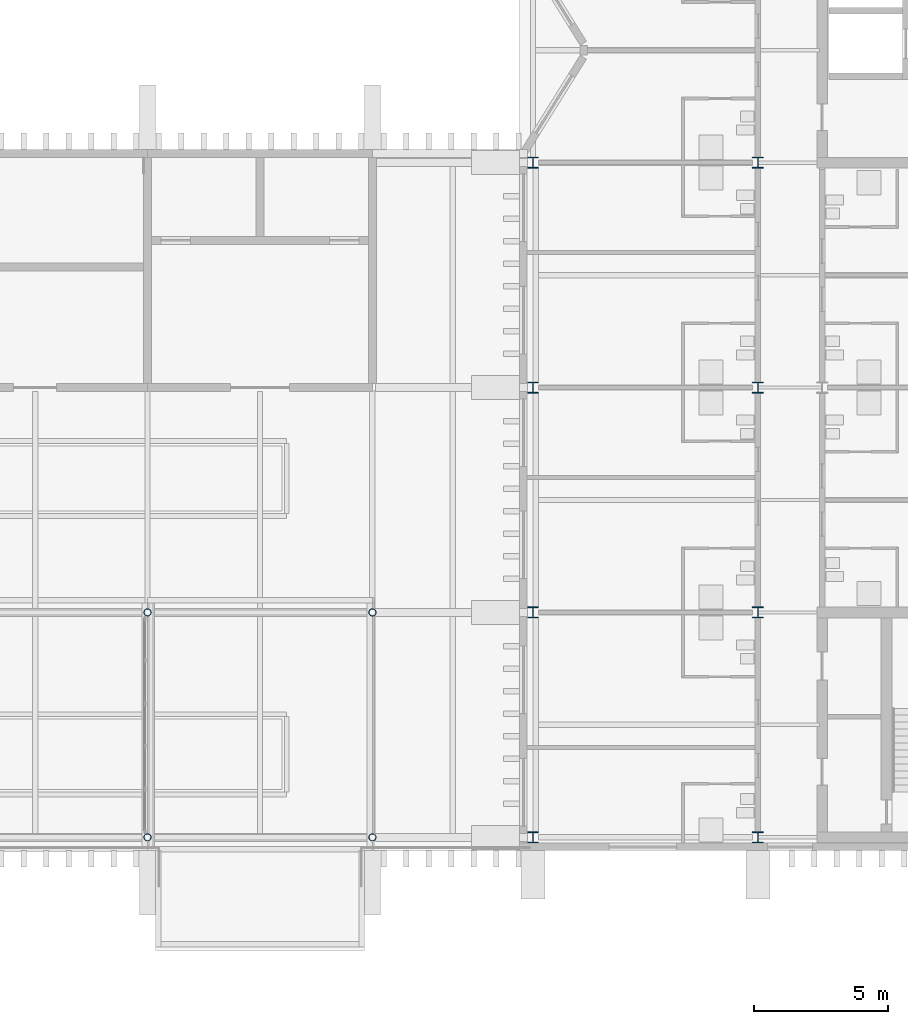
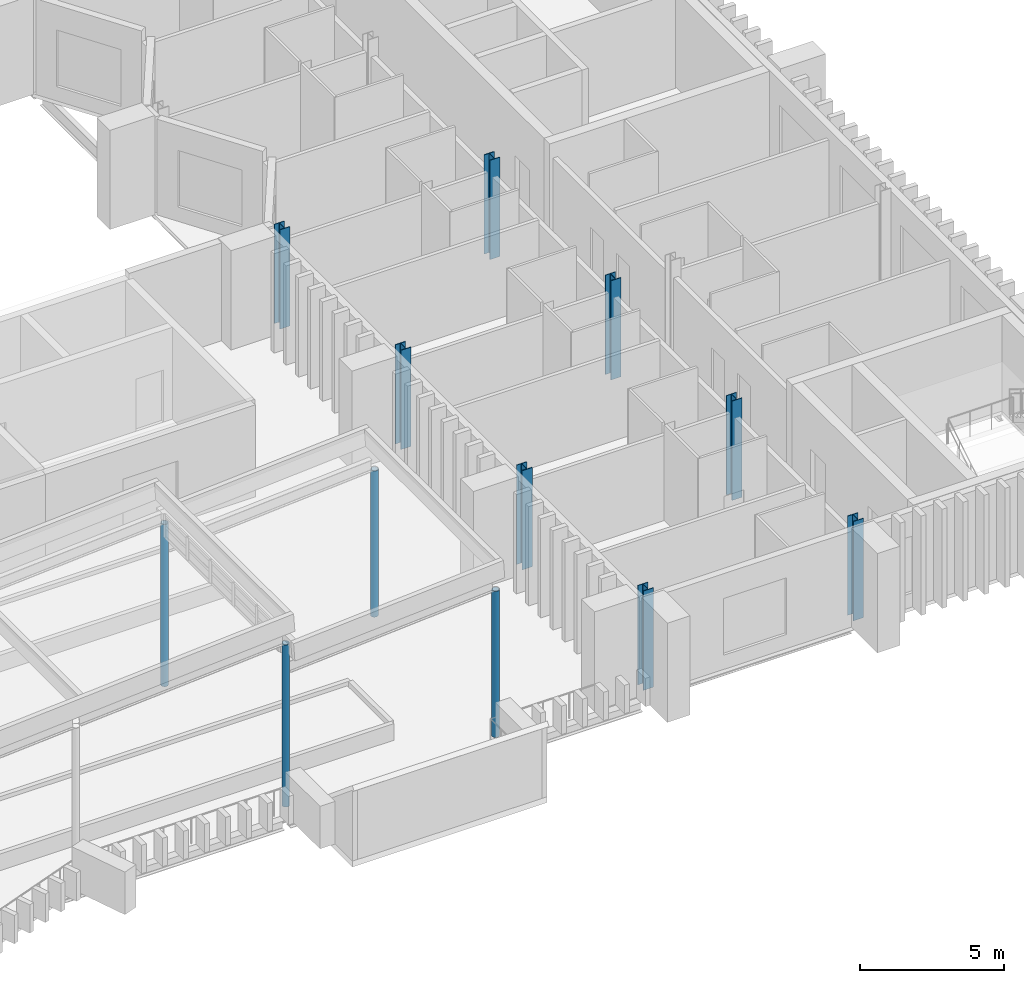
# One storey, part 9 of 51: 12 columns.
"""IFC4 building model written with IfcOpenShell, lengths in metres."""

from ifc_helpers import new_model, si_unit, direction, frame, origin, origin_2d, place, context, subcontext, project, spatial, hollow_circle, i_section, extrude, material, material_profile, profile_set, type_object, element, save


model = new_model("IFC4")

# Units and contexts
model_context = context("Model", 3, precision=1e-05, world=origin(), true_north=direction((0.0, 1.0)))
body_context = subcontext(model_context, "Body", "Model", "MODEL_VIEW")
ifc_project = project(units=[si_unit("LENGTHUNIT", "METRE"), si_unit("AREAUNIT", "SQUARE_METRE"), si_unit("VOLUMEUNIT", "CUBIC_METRE"), si_unit("PLANEANGLEUNIT", "RADIAN"), si_unit("MASSUNIT", "GRAM", prefix="KILO")], contexts=[model_context])

# Site, building, storey
site_placement = place(None, origin())
site = spatial("IfcSite", under=ifc_project, at=site_placement, CompositionType="ELEMENT")
building_placement = place(site_placement, origin())
building = spatial("IfcBuilding", under=site, at=building_placement, Name="Cresset Court Congress Hotel", CompositionType="ELEMENT")
storey_placement = place(building_placement, frame((0.0, 0.0, 18.60009765625)))
storey = spatial("IfcBuildingStorey", under=building, at=storey_placement, Name="L04", CompositionType="ELEMENT", Elevation=18.60009765625)

# Columns
ifc_material_1 = material(Name="Structural steel Q355B", Category="steel")
ifc_material_profile_1 = material_profile(ifc_material_1, hollow_circle(Radius=0.136474609375, WallThickness=0.011962890625, at=origin_2d()), Name="CHS273x12")
ifc_profile_set_1 = profile_set([ifc_material_profile_1], Name="Structural steel Q355B")
column_type_1 = type_object("IfcColumnType", Name="Steel column CHS273x12", PredefinedType="COLUMN", material=ifc_profile_set_1)
for number, where, z_axis, x_axis, name in (
    (1, (142.800048828125, 0.0, 0.0), (0.0, 0.0, 1.0), (1.0, 0.0, 0.0), "Roof column 18A"),
    (2, (142.800048828125, 8.39990234375, 0.0), (0.0, 0.0, 1.0), (1.0, 0.0, 0.0), "Roof column 18B"),
):
    element("IfcColumn", number, at=place(storey_placement, frame(where, z_axis=z_axis, x_axis=x_axis)), inside=storey, type_object=column_type_1, Name=name, PredefinedType="COLUMN", context=body_context, shape_type="SweptSolid", body=[
        extrude(hollow_circle(Radius=0.136474609375, WallThickness=0.011962890625, at=origin_2d()), origin(), (0.0, 0.0, 1.0), 6.864013671875),
    ])
for number, where, z_axis, x_axis, name in (
    (3, (151.199951171875, 0.0, 0.0), (0.0, 0.0, 1.0), (1.0, 0.0, 0.0), "Roof column 19A"),
    (4, (151.199951171875, 8.39990234375, 0.0), (0.0, 0.0, 1.0), (1.0, 0.0, 0.0), "Roof column 19B"),
):
    element("IfcColumn", number, at=place(storey_placement, frame(where, z_axis=z_axis, x_axis=x_axis)), inside=storey, type_object=column_type_1, Name=name, PredefinedType="COLUMN", context=body_context, shape_type="SweptSolid", body=[
        extrude(hollow_circle(Radius=0.136474609375, WallThickness=0.011962890625, at=origin_2d()), origin(), (0.0, 0.0, 1.0), 6.18798828125),
    ])
ifc_material_2 = material(Name="Structural steel Q355B", Category="steel")
ifc_material_profile_2 = material_profile(ifc_material_2, i_section(OverallWidth=0.405029296875, OverallDepth=0.4140625, WebThickness=0.01806640625, FlangeThickness=0.028076171875, FilletRadius=0.02197265625, at=origin_2d()), Name="HW414x405x18x28")
ifc_profile_set_2 = profile_set([ifc_material_profile_2], Name="Structural steel Q355B")
column_type_2 = type_object("IfcColumnType", Name="Steel column HW414x405x18x28", PredefinedType="COLUMN", material=ifc_profile_set_2)
for number, where, z_axis, x_axis, name in (
    (5, (157.199951171875, 0.0, 0.0), (0.0, 0.0, 1.0), (1.0, 0.0, 0.0), "Column L04 1-20"),
    (6, (157.199951171875, 8.39990234375, 0.0), (0.0, 0.0, 1.0), (1.0, 0.0, 0.0), "Column L04 2-20"),
    (7, (157.199951171875, 16.800048828125, 0.0), (0.0, 0.0, 1.0), (1.0, 0.0, 0.0), "Column L04 3-20"),
    (8, (157.199951171875, 25.199951171875, 0.0), (0.0, 0.0, 1.0), (1.0, 0.0, 0.0), "Column L04 4-20"),
    (9, (165.60009765625, 0.0, 0.0), (0.0, 0.0, 1.0), (1.0, 0.0, 0.0), "Column L04 1-21"),
    (10, (165.60009765625, 8.39990234375, 0.0), (0.0, 0.0, 1.0), (1.0, 0.0, 0.0), "Column L04 2-21"),
    (11, (165.60009765625, 16.800048828125, 0.0), (0.0, 0.0, 1.0), (1.0, 0.0, 0.0), "Column L04 3-21"),
    (12, (165.60009765625, 25.199951171875, 0.0), (0.0, 0.0, 1.0), (1.0, 0.0, 0.0), "Column L04 4-21"),
):
    element("IfcColumn", number, at=place(storey_placement, frame(where, z_axis=z_axis, x_axis=x_axis)), inside=storey, type_object=column_type_2, Name=name, PredefinedType="COLUMN", context=body_context, shape_type="SweptSolid", body=[
        extrude(i_section(OverallWidth=0.405029296875, OverallDepth=0.4140625, WebThickness=0.01806640625, FlangeThickness=0.028076171875, FilletRadius=0.02197265625, at=origin_2d()), origin(), (0.0, 0.0, 1.0), 4.199951171875),
    ])

save(model, "model.ifc")
